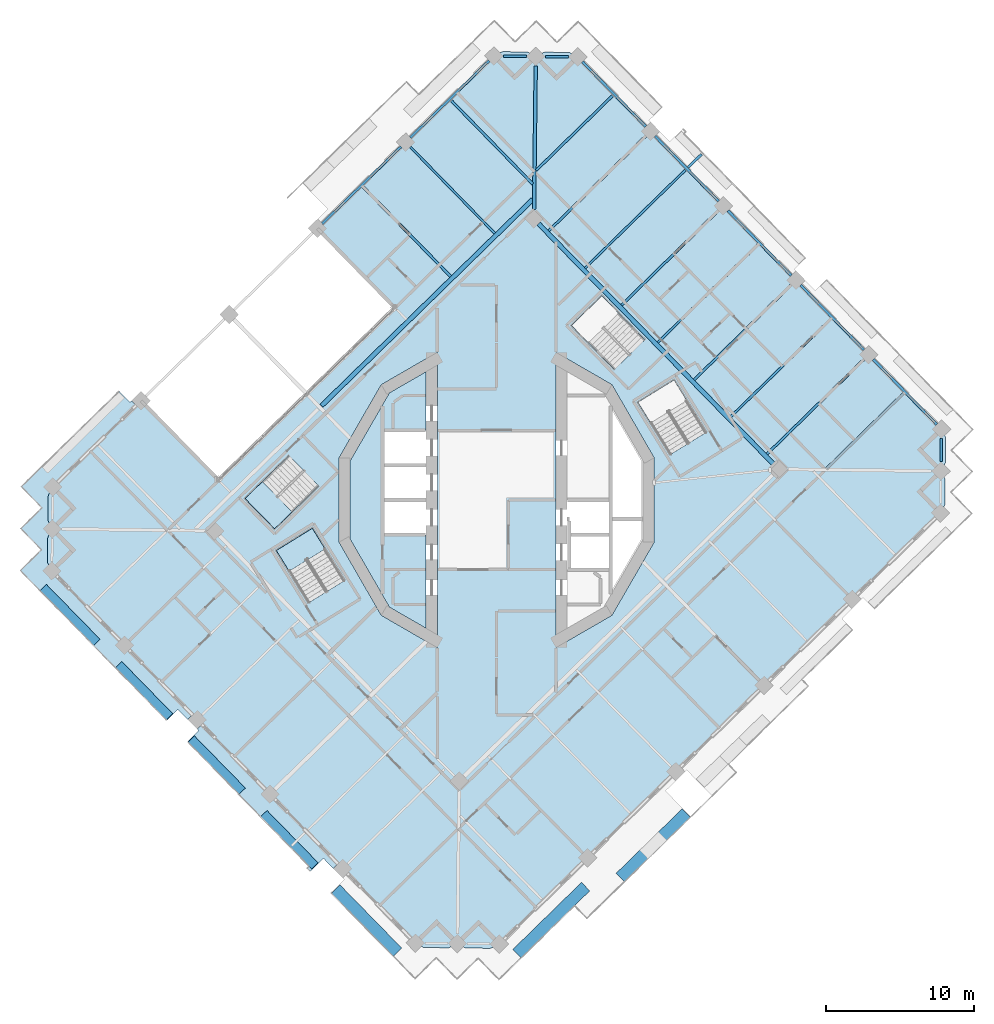
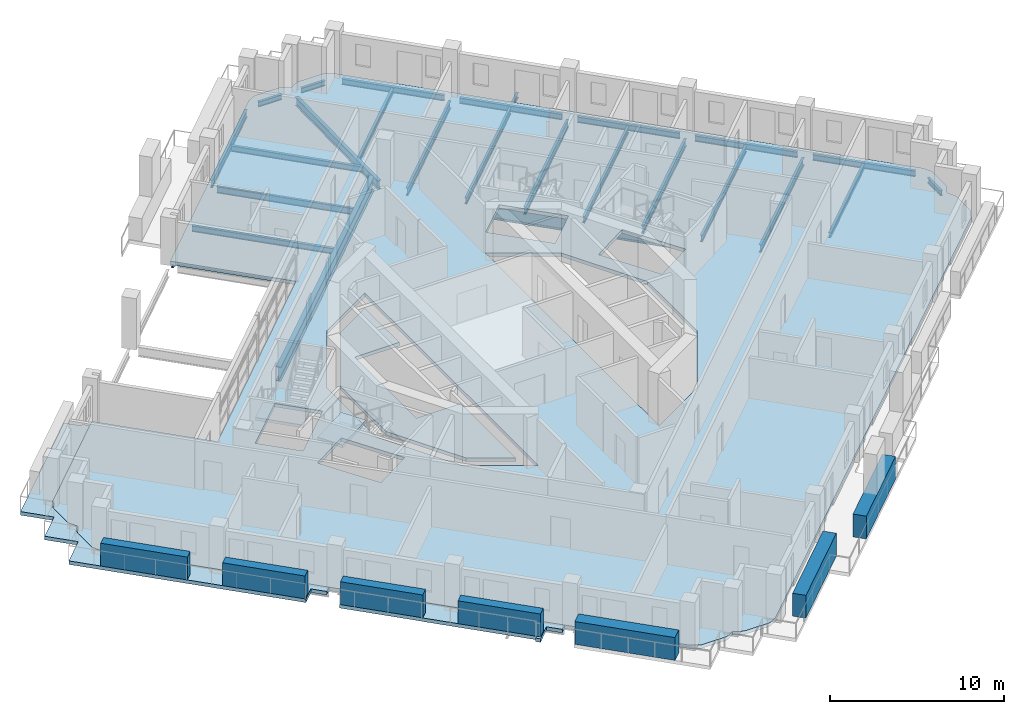
# One storey, part 5 of 21: 26 beams, 7 plates, 6 slabs, 2 elements without a shape of their own.
"""IFC4 building model written with IfcOpenShell, lengths in metres."""

from ifc_helpers import new_model, si_unit, direction, frame, origin, origin_2d, place, context, subcontext, project, spatial, polyline, rectangle, i_section, outline, extrude, material, layer, layer_set, material_profile, profile_set, type_object, element, aggregate, save


model = new_model("IFC4")

# Units and contexts
model_context = context("Model", 3, precision=1e-05, world=origin(), true_north=direction((0.0, 1.0)))
body_context = subcontext(model_context, "Body", "Model", "MODEL_VIEW")
ifc_project = project(units=[si_unit("LENGTHUNIT", "METRE"), si_unit("AREAUNIT", "SQUARE_METRE"), si_unit("VOLUMEUNIT", "CUBIC_METRE"), si_unit("PLANEANGLEUNIT", "RADIAN"), si_unit("MASSUNIT", "GRAM", prefix="KILO")], contexts=[model_context])

# Site, building, storey
site_placement = place(None, origin())
site = spatial("IfcSite", under=ifc_project, at=site_placement, CompositionType="ELEMENT")
building_placement = place(site_placement, origin())
building = spatial("IfcBuilding", under=site, at=building_placement, Name="Cantera Rosa Tower", CompositionType="ELEMENT")
storey_placement = place(building_placement, frame((0.0, 0.0, 230.60009765625)))
storey = spatial("IfcBuildingStorey", under=building, at=storey_placement, Name="L50", CompositionType="ELEMENT", Elevation=230.60009765625)

# Beams
ifc_material_1 = material(Name="Steel ASTM A992 (Fy 345 MPa)", Category="steel")
ifc_material_profile_1 = material_profile(ifc_material_1, i_section(OverallWidth=0.302001953125, OverallDepth=1.010009765625, WebThickness=0.02099609375, FlangeThickness=0.0400390625, FilletRadius=0.030029296875, at=origin_2d()), Name="W1000X350")
ifc_profile_set_1 = profile_set([ifc_material_profile_1], Name="Steel ASTM A992 (Fy 345 MPa)")
beam_type_1 = type_object("IfcBeamType", Name="STEEL BEAM W1000X350", PredefinedType="BEAM", material=ifc_profile_set_1)
beam_1_placement = place(storey_placement, frame((-11.813232421875, 6.353271484375, -0.755126953125), z_axis=(0.715280810147, 0.698837150297, 0.0), x_axis=(-0.698837150297, 0.715280810147, 0.0)))
element("IfcBeam", 1, at=beam_1_placement, inside=storey, type_object=beam_type_1, Name="RB-Z4-02 L50", PredefinedType="BEAM", context=body_context, shape_type="SweptSolid", body=[
    extrude(i_section(OverallWidth=0.302001953125, OverallDepth=1.010009765625, WebThickness=0.02099609375, FlangeThickness=0.0400390625, FilletRadius=0.030029296875, at=origin_2d()), origin(), (0.0, 0.0, 1.0), 19.909912109375),
])
beam_2_placement = place(storey_placement, frame((18.69677734375, 2.39892578125, -0.755126953125), z_axis=(-0.698831294804, 0.715286530981, 0.0), x_axis=(-0.715286530981, -0.698831294804, 0.0)))
element("IfcBeam", 2, at=beam_2_placement, inside=storey, type_object=beam_type_1, Name="RB-Z4-05 L50", PredefinedType="BEAM", context=body_context, shape_type="SweptSolid", body=[
    extrude(i_section(OverallWidth=0.302001953125, OverallDepth=1.010009765625, WebThickness=0.02099609375, FlangeThickness=0.0400390625, FilletRadius=0.030029296875, at=origin_2d()), origin(), (0.0, 0.0, 1.0), 22.7001953125),
])
ifc_material_2 = material(Name="Steel ASTM A992 (Fy 345 MPa)", Category="steel")
ifc_material_profile_2 = material_profile(ifc_material_2, i_section(OverallWidth=0.154052734375, OverallDepth=0.4599609375, WebThickness=0.009033203125, FlangeThickness=0.015380859375, FilletRadius=0.01025390625, at=origin_2d()), Name="W460X68")
ifc_profile_set_2 = profile_set([ifc_material_profile_2], Name="Steel ASTM A992 (Fy 345 MPa)")
beam_type_2 = type_object("IfcBeamType", Name="STEEL BEAM W460X68", PredefinedType="BEAM", material=ifc_profile_set_2)
beam_3_placement = place(storey_placement, frame((-5.818603515625, 23.81396484375, -0.47998046875), z_axis=(0.698836133494, -0.715281803574, 0.0), x_axis=(0.715281803574, 0.698836133494, 0.0)))
element("IfcBeam", 3, at=beam_3_placement, inside=storey, type_object=beam_type_2, Name="G-Z4-05 L50", PredefinedType="BEAM", context=body_context, shape_type="SweptSolid", body=[
    extrude(i_section(OverallWidth=0.154052734375, OverallDepth=0.4599609375, WebThickness=0.009033203125, FlangeThickness=0.015380859375, FilletRadius=0.01025390625, at=origin_2d()), origin(), (0.0, 0.0, 1.0), 8.150146484375),
])
ifc_material_3 = material(Name="Steel ASTM A992 (Fy 345 MPa)", Category="steel")
ifc_material_profile_3 = material_profile(ifc_material_3, i_section(OverallWidth=0.166015625, OverallDepth=0.528076171875, WebThickness=0.009765625, FlangeThickness=0.013671875, FilletRadius=0.0126953125, at=origin_2d()), Name="W530X74")
ifc_profile_set_3 = profile_set([ifc_material_profile_3], Name="Steel ASTM A992 (Fy 345 MPa)")
beam_type_3 = type_object("IfcBeamType", Name="STEEL BEAM W530X74", PredefinedType="BEAM", material=ifc_profile_set_3)
for number, where, z_axis, x_axis, name in (
    (4, (24.77587890625, 9.484619140625, -0.51416015625), (-0.71529025682, -0.698827481213, 0.0), (0.698827481213, -0.71529025682, 0.0), "G-Z4-01 L50"),
    (5, (19.8701171875, 14.505859375, -0.51416015625), (-0.71529025682, -0.698827481213, 0.0), (0.698827481213, -0.71529025682, 0.0), "G-Z4-02 L50"),
    (6, (14.96435546875, 19.527099609375, -0.51416015625), (-0.71529025682, -0.698827481213, 0.0), (0.698827481213, -0.71529025682, 0.0), "G-Z4-03 L50"),
    (7, (10.05859375, 24.548583984375, -0.51416015625), (-0.71529025682, -0.698827481213, 0.0), (0.698827481213, -0.71529025682, 0.0), "G-Z4-04 L50"),
):
    element("IfcBeam", number, at=place(storey_placement, frame(where, z_axis=z_axis, x_axis=x_axis)), inside=storey, type_object=beam_type_3, Name=name, PredefinedType="BEAM", context=body_context, shape_type="SweptSolid", body=[
        extrude(i_section(OverallWidth=0.166015625, OverallDepth=0.528076171875, WebThickness=0.009765625, FlangeThickness=0.013671875, FilletRadius=0.0126953125, at=origin_2d()), origin(), (0.0, 0.0, 1.0), 9.14990234375),
    ])
ifc_material_4 = material(Name="Steel ASTM A992 (Fy 345 MPa)", Category="steel")
ifc_material_profile_4 = material_profile(ifc_material_4, i_section(OverallWidth=0.22802734375, OverallDepth=0.60205078125, WebThickness=0.010498046875, FlangeThickness=0.014892578125, FilletRadius=0.0126953125, at=origin_2d()), Name="W610X101")
ifc_profile_set_4 = profile_set([ifc_material_profile_4], Name="Steel ASTM A992 (Fy 345 MPa)")
beam_type_4 = type_object("IfcBeamType", Name="STEEL BEAM W610X101", PredefinedType="BEAM", material=ifc_profile_set_4)
beam_4_placement = place(storey_placement, frame((2.638916015625, 29.28076171875, -0.551025390625), z_axis=(-0.011618330597, -0.999932504919, 0.0), x_axis=(0.999932504919, -0.011618330597, 0.0)))
element("IfcBeam", 8, at=beam_4_placement, inside=storey, type_object=beam_type_4, Name="CB-Z4-01 L50", PredefinedType="BEAM", context=body_context, shape_type="SweptSolid", body=[
    extrude(i_section(OverallWidth=0.22802734375, OverallDepth=0.60205078125, WebThickness=0.010498046875, FlangeThickness=0.014892578125, FilletRadius=0.0126953125, at=origin_2d()), origin(), (0.0, 0.0, 1.0), 9.687255859375),
])
ifc_material_5 = material(Name="Steel ASTM A992 (Fy 345 MPa)", Category="steel")
ifc_material_profile_5 = material_profile(ifc_material_5, i_section(OverallWidth=0.1708984375, OverallDepth=0.35595703125, WebThickness=0.00732421875, FlangeThickness=0.01171875, FilletRadius=0.010009765625, at=origin_2d()), Name="W360X51")
ifc_profile_set_5 = profile_set([ifc_material_profile_5], Name="Steel ASTM A992 (Fy 345 MPa)")
beam_type_5 = type_object("IfcBeamType", Name="STEEL JOIST W360X51", PredefinedType="JOIST", material=ifc_profile_set_5)
for number, where, z_axis, x_axis, name in (
    (9, (27.443359375, 7.18359375, -0.427978515625), (-0.715287213552, -0.69883059616, 0.0), (0.69883059616, -0.715287213552, 0.0), "B-Z4-01 L50"),
    (10, (7.8203125, 27.268798828125, -0.427978515625), (-0.715287213552, -0.69883059616, 0.0), (0.69883059616, -0.715287213552, 0.0), "B-Z4-05 L50"),
):
    element("IfcBeam", number, at=place(storey_placement, frame(where, z_axis=z_axis, x_axis=x_axis)), inside=storey, type_object=beam_type_5, Name=name, PredefinedType="JOIST", context=body_context, shape_type="SweptSolid", body=[
        extrude(i_section(OverallWidth=0.1708984375, OverallDepth=0.35595703125, WebThickness=0.00732421875, FlangeThickness=0.01171875, FilletRadius=0.010009765625, at=origin_2d()), origin(), (0.0, 0.0, 1.0), 7.2099609375),
    ])
beam_5_placement = place(storey_placement, frame((12.92626953125, 22.443115234375, -0.427978515625), z_axis=(0.715266175044, 0.698852129451, 0.0), x_axis=(-0.698852129451, 0.715266175044, 0.0)))
element("IfcBeam", 11, at=beam_5_placement, inside=storey, type_object=beam_type_5, Name="BS-Z4-15 L50", PredefinedType="JOIST", context=body_context, shape_type="SweptSolid", body=[
    extrude(i_section(OverallWidth=0.1708984375, OverallDepth=0.35595703125, WebThickness=0.00732421875, FlangeThickness=0.01171875, FilletRadius=0.010009765625, at=origin_2d()), origin(), (0.0, 0.0, 1.0), 1.26416015625),
])
ifc_material_6 = material(Name="Steel ASTM A992 (Fy 345 MPa)", Category="steel")
ifc_material_profile_6 = material_profile(ifc_material_6, i_section(OverallWidth=0.177978515625, OverallDepth=0.406005859375, WebThickness=0.0078125, FlangeThickness=0.0126953125, FilletRadius=0.01025390625, at=origin_2d()), Name="W410X60")
ifc_profile_set_6 = profile_set([ifc_material_profile_6], Name="Steel ASTM A992 (Fy 345 MPa)")
beam_type_6 = type_object("IfcBeamType", Name="STEEL JOIST W410X60", PredefinedType="JOIST", material=ifc_profile_set_6)
beam_6_placement = place(storey_placement, frame((-3.052734375, 26.935791015625, -0.453125), z_axis=(0.698827868311, -0.715289878631, 0.0), x_axis=(0.715289878631, 0.698827868311, 0.0)))
element("IfcBeam", 12, at=beam_6_placement, inside=storey, type_object=beam_type_6, Name="B-Z4-06 L50", PredefinedType="JOIST", context=body_context, shape_type="SweptSolid", body=[
    extrude(i_section(OverallWidth=0.177978515625, OverallDepth=0.406005859375, WebThickness=0.0078125, FlangeThickness=0.0126953125, FilletRadius=0.01025390625, at=origin_2d()), origin(), (0.0, 0.0, 1.0), 7.860107421875),
])
beam_7_placement = place(storey_placement, frame((-9.00390625, 21.121337890625, -0.453125), z_axis=(0.698839235604, -0.715278772774, 0.0), x_axis=(0.715278772774, 0.698839235604, 0.0)))
element("IfcBeam", 13, at=beam_7_placement, inside=storey, type_object=beam_type_6, Name="B-Z4-07 L50", PredefinedType="JOIST", context=body_context, shape_type="SweptSolid", body=[
    extrude(i_section(OverallWidth=0.177978515625, OverallDepth=0.406005859375, WebThickness=0.0078125, FlangeThickness=0.0126953125, FilletRadius=0.01025390625, at=origin_2d()), origin(), (0.0, 0.0, 1.0), 8.4501953125),
])
ifc_material_7 = material(Name="Steel ASTM A992 (Fy 345 MPa)", Category="steel")
ifc_material_profile_7 = material_profile(ifc_material_7, i_section(OverallWidth=0.154052734375, OverallDepth=0.4599609375, WebThickness=0.009033203125, FlangeThickness=0.015380859375, FilletRadius=0.01025390625, at=origin_2d()), Name="W460X68")
ifc_profile_set_7 = profile_set([ifc_material_profile_7], Name="Steel ASTM A992 (Fy 345 MPa)")
beam_type_7 = type_object("IfcBeamType", Name="STEEL JOIST W460X68", PredefinedType="JOIST", material=ifc_profile_set_7)
for number, where, z_axis, x_axis, name in (
    (14, (22.53759765625, 12.204833984375, -0.47998046875), (-0.715287278354, -0.698830529832, 0.0), (0.698830529832, -0.715287278354, 0.0), "B-Z4-02 L50"),
    (15, (17.6318359375, 17.226318359375, -0.47998046875), (-0.715287278354, -0.698830529832, 0.0), (0.698830529832, -0.715287278354, 0.0), "B-Z4-03 L50"),
    (16, (12.72607421875, 22.24755859375, -0.47998046875), (-0.715287278354, -0.698830529832, 0.0), (0.698830529832, -0.715287278354, 0.0), "B-Z4-04 L50"),
):
    element("IfcBeam", number, at=place(storey_placement, frame(where, z_axis=z_axis, x_axis=x_axis)), inside=storey, type_object=beam_type_7, Name=name, PredefinedType="JOIST", context=body_context, shape_type="SweptSolid", body=[
        extrude(i_section(OverallWidth=0.154052734375, OverallDepth=0.4599609375, WebThickness=0.009033203125, FlangeThickness=0.015380859375, FilletRadius=0.01025390625, at=origin_2d()), origin(), (0.0, 0.0, 1.0), 9.4501953125),
    ])
ifc_material_8 = material(Name="Steel ASTM A992 (Fy 345 MPa)", Category="steel")
ifc_material_profile_8 = material_profile(ifc_material_8, i_section(OverallWidth=0.1708984375, OverallDepth=0.35595703125, WebThickness=0.00732421875, FlangeThickness=0.01171875, FilletRadius=0.010009765625, at=origin_2d()), Name="W360X51")
ifc_profile_set_8 = profile_set([ifc_material_profile_8], Name="Steel ASTM A992 (Fy 345 MPa)")
beam_type_8 = type_object("IfcBeamType", Name="STEEL SPANDREL BEAM W360X51", PredefinedType="SPANDREL", material=ifc_profile_set_8)
for number, where, z_axis, x_axis, name in (
    (17, (4.838134765625, 29.8916015625, -0.427978515625), (-0.999930716123, 0.011771276677, 0.0), (-0.011771276677, -0.999930716123, 0.0), "EB-Z4-06 L50"),
    (18, (2.010009765625, 29.924560546875, -0.427978515625), (-0.99993255119, 0.011614347636, 0.0), (-0.011614347636, -0.99993255119, 0.0), "EB-Z4-07 L50"),
    (19, (29.97802734375, 2.5859375, -0.427978515625), (0.011614347636, 0.99993255119, 0.0), (-0.99993255119, 0.011614347636, 0.0), "EB-Z4-28 L50"),
):
    element("IfcBeam", number, at=place(storey_placement, frame(where, z_axis=z_axis, x_axis=x_axis)), inside=storey, type_object=beam_type_8, Name=name, PredefinedType="SPANDREL", context=body_context, shape_type="SweptSolid", body=[
        extrude(i_section(OverallWidth=0.1708984375, OverallDepth=0.35595703125, WebThickness=0.00732421875, FlangeThickness=0.01171875, FilletRadius=0.010009765625, at=origin_2d()), origin(), (0.0, 0.0, 1.0), 1.555419921875),
    ])
ifc_material_9 = material(Name="Steel ASTM A992 (Fy 345 MPa)", Category="steel")
ifc_material_profile_9 = material_profile(ifc_material_9, i_section(OverallWidth=0.177978515625, OverallDepth=0.406005859375, WebThickness=0.0078125, FlangeThickness=0.0126953125, FilletRadius=0.01025390625, at=origin_2d()), Name="W410X60")
ifc_profile_set_9 = profile_set([ifc_material_profile_9], Name="Steel ASTM A992 (Fy 345 MPa)")
beam_type_9 = type_object("IfcBeamType", Name="STEEL SPANDREL BEAM W410X60", PredefinedType="SPANDREL", material=ifc_profile_set_9)
beam_8_placement = place(storey_placement, frame((29.689208984375, 5.099609375, -0.453125), z_axis=(-0.69882117953, 0.715296413412, 0.0), x_axis=(-0.715296413412, -0.69882117953, 0.0)))
element("IfcBeam", 20, at=beam_8_placement, inside=storey, type_object=beam_type_9, Name="EB-Z4-01 L50", PredefinedType="SPANDREL", context=body_context, shape_type="SweptSolid", body=[
    extrude(i_section(OverallWidth=0.177978515625, OverallDepth=0.406005859375, WebThickness=0.0078125, FlangeThickness=0.0126953125, FilletRadius=0.01025390625, at=origin_2d()), origin(), (0.0, 0.0, 1.0), 6.1201171875),
])
for number, where, z_axis, x_axis, name in (
    (21, (24.783203125, 10.120849609375, -0.453125), (-0.698800768177, 0.715316354067, 0.0), (-0.715316354067, -0.698800768177, 0.0), "EB-Z4-02 L50"),
    (22, (19.87744140625, 15.142333984375, -0.453125), (-0.698841120217, 0.71527693147, 0.0), (-0.71527693147, -0.698841120217, 0.0), "EB-Z4-03 L50"),
    (23, (14.9716796875, 20.16357421875, -0.453125), (-0.698841120217, 0.71527693147, 0.0), (-0.71527693147, -0.698841120217, 0.0), "EB-Z4-04 L50"),
):
    element("IfcBeam", number, at=place(storey_placement, frame(where, z_axis=z_axis, x_axis=x_axis)), inside=storey, type_object=beam_type_9, Name=name, PredefinedType="SPANDREL", context=body_context, shape_type="SweptSolid", body=[
        extrude(i_section(OverallWidth=0.177978515625, OverallDepth=0.406005859375, WebThickness=0.0078125, FlangeThickness=0.0126953125, FilletRadius=0.01025390625, at=origin_2d()), origin(), (0.0, 0.0, 1.0), 6.119873046875),
    ])
beam_9_placement = place(storey_placement, frame((10.06591796875, 25.184814453125, -0.453125), z_axis=(-0.69882117953, 0.715296413412, 0.0), x_axis=(-0.715296413412, -0.69882117953, 0.0)))
element("IfcBeam", 24, at=beam_9_placement, inside=storey, type_object=beam_type_9, Name="EB-Z4-05 L50", PredefinedType="SPANDREL", context=body_context, shape_type="SweptSolid", body=[
    extrude(i_section(OverallWidth=0.177978515625, OverallDepth=0.406005859375, WebThickness=0.0078125, FlangeThickness=0.0126953125, FilletRadius=0.01025390625, at=origin_2d()), origin(), (0.0, 0.0, 1.0), 6.1201171875),
])
ifc_material_10 = material(Name="Steel ASTM A992 (Fy 345 MPa)", Category="steel")
ifc_material_profile_10 = material_profile(ifc_material_10, i_section(OverallWidth=0.166015625, OverallDepth=0.528076171875, WebThickness=0.009765625, FlangeThickness=0.013671875, FilletRadius=0.0126953125, at=origin_2d()), Name="W530X74")
ifc_profile_set_10 = profile_set([ifc_material_profile_10], Name="Steel ASTM A992 (Fy 345 MPa)")
beam_type_10 = type_object("IfcBeamType", Name="STEEL SPANDREL BEAM W530X74", PredefinedType="SPANDREL", material=ifc_profile_set_10)
beam_10_placement = place(storey_placement, frame((-0.503662109375, 29.6357421875, -0.51416015625), z_axis=(-0.715284379566, -0.698833496871, 0.0), x_axis=(0.698833496871, -0.715284379566, 0.0)))
element("IfcBeam", 25, at=beam_10_placement, inside=storey, type_object=beam_type_10, Name="EB-Z4-08 L50", PredefinedType="SPANDREL", context=body_context, shape_type="SweptSolid", body=[
    extrude(i_section(OverallWidth=0.166015625, OverallDepth=0.528076171875, WebThickness=0.009765625, FlangeThickness=0.013671875, FilletRadius=0.0126953125, at=origin_2d()), origin(), (0.0, 0.0, 1.0), 7.42041015625),
])
beam_11_placement = place(storey_placement, frame((-6.454833984375, 23.8212890625, -0.51416015625), z_axis=(-0.715300826176, -0.698816662703, 0.0), x_axis=(0.698816662703, -0.715300826176, 0.0)))
element("IfcBeam", 26, at=beam_11_placement, inside=storey, type_object=beam_type_10, Name="EB-Z4-09 L50", PredefinedType="SPANDREL", context=body_context, shape_type="SweptSolid", body=[
    extrude(i_section(OverallWidth=0.166015625, OverallDepth=0.528076171875, WebThickness=0.009765625, FlangeThickness=0.013671875, FilletRadius=0.0126953125, at=origin_2d()), origin(), (0.0, 0.0, 1.0), 7.420166015625),
])

# Slabs
ifc_material_11 = material(Name="Concrete C35/45", Category="concrete")
ifc_layer_1 = layer(ifc_material_11, 0.25)
ifc_layer_set_1 = layer_set([ifc_layer_1], Name="COMPOSITE FLOOR SLAB 250 C35/45")
slab_type_1 = type_object("IfcSlabType", Name="COMPOSITE FLOOR SLAB 250 C35/45", PredefinedType="FLOOR", material=ifc_layer_set_1)
slab_1_placement = place(storey_placement, frame((0.0, 0.0, -0.25)))
element("IfcSlab", 27, at=slab_1_placement, inside=storey, type_object=slab_type_1, Name="SLAB L50 floor 1", PredefinedType="FLOOR", context=body_context, shape_type="SweptSolid", body=[
    extrude(outline(polyline([(-7.699951171875, 0.0), (-7.699951171875, -2.35009765625), (-4.75, -2.35009765625), (-4.75, -8.660400390625), (-7.22900390625, -7.22900390625), (-9.875244140625, -2.64599609375), (-9.875244140625, 2.64599609375), (-7.22900390625, 7.22900390625), (-4.75, 8.660400390625), (-4.75, 4.699951171875), (-7.699951171875, 4.699951171875), (-7.699951171875, 2.35009765625), (-7.699951171875, 0.0)])), origin(), (0.0, 0.0, 1.0), 0.25),
])
slab_2_placement = place(storey_placement, frame((0.0, 0.0, -0.25)))
element("IfcSlab", 28, at=slab_2_placement, inside=storey, type_object=slab_type_1, Name="SLAB L50 floor 2", PredefinedType="FLOOR", context=body_context, shape_type="SweptSolid", body=[
    extrude(outline(polyline([(-2.1279296875, -30.200439453125), (-2.154541015625, -30.1875), (-2.646484375, -29.917236328125), (-3.144287109375, -30.176025390625), (-3.171142578125, -30.188232421875), (-3.198974609375, -30.197998046875), (-3.2275390625, -30.20458984375), (-3.2568359375, -30.208740234375), (-3.2861328125, -30.209716796875), (-4.841796875, -30.191650390625), (-4.87109375, -30.18994140625), (-4.900146484375, -30.185302734375), (-4.9287109375, -30.177734375), (-4.956298828125, -30.16748046875), (-4.982666015625, -30.154541015625), (-5.474609375, -29.88427734375), (-30.003662109375, -4.777587890625), (-30.262451171875, -4.27978515625), (-30.274658203125, -4.2529296875), (-30.2841796875, -4.22509765625), (-30.291015625, -4.196533203125), (-30.295166015625, -4.167236328125), (-30.296142578125, -4.137939453125), (-30.278076171875, -2.58251953125), (-30.2763671875, -2.552978515625), (-30.271484375, -2.52392578125), (-30.26416015625, -2.495361328125), (-30.25390625, -2.4677734375), (-30.240966796875, -2.44140625), (-29.970703125, -1.949462890625), (-30.2294921875, -1.451416015625), (-30.24169921875, -1.4248046875), (-30.25146484375, -1.39697265625), (-30.25830078125, -1.368408203125), (-30.26220703125, -1.339111328125), (-30.26318359375, -1.309814453125), (-30.2451171875, 0.245849609375), (-30.243408203125, 0.275146484375), (-30.23876953125, 0.30419921875), (-30.231201171875, 0.332763671875), (-30.220947265625, 0.3603515625), (-30.2080078125, 0.386962890625), (-29.937744140625, 0.878662109375), (-23.986572265625, 6.693115234375), (-18.745361328125, 1.328369140625), (-6.843017578125, 12.956787109375), (-12.084228515625, 18.321533203125), (-0.883056640625, 29.26513671875), (-0.181884765625, 29.9501953125), (0.316162109375, 30.208984375), (0.343017578125, 30.22119140625), (0.37060546875, 30.230712890625), (0.3994140625, 30.237548828125), (0.4287109375, 30.24169921875), (0.4580078125, 30.24267578125), (2.013427734375, 30.224609375), (2.04296875, 30.222900390625), (2.072021484375, 30.218017578125), (2.100341796875, 30.210693359375), (2.1279296875, 30.200439453125), (2.154541015625, 30.1875), (2.646484375, 29.917236328125), (3.144287109375, 30.176025390625), (3.171142578125, 30.188232421875), (3.198974609375, 30.197998046875), (3.2275390625, 30.20458984375), (3.2568359375, 30.208740234375), (3.2861328125, 30.209716796875), (4.841796875, 30.191650390625), (4.87109375, 30.18994140625), (4.900146484375, 30.185302734375), (4.9287109375, 30.177734375), (4.956298828125, 30.16748046875), (4.982666015625, 30.154541015625), (5.474609375, 29.88427734375), (30.003662109375, 4.777587890625), (30.262451171875, 4.27978515625), (30.274658203125, 4.2529296875), (30.2841796875, 4.22509765625), (30.291015625, 4.196533203125), (30.295166015625, 4.167236328125), (30.296142578125, 4.137939453125), (30.278076171875, 2.58251953125), (30.2763671875, 2.552978515625), (30.271484375, 2.52392578125), (30.26416015625, 2.495361328125), (30.25390625, 2.4677734375), (30.240966796875, 2.44140625), (29.970703125, 1.949462890625), (30.2294921875, 1.451416015625), (30.24169921875, 1.4248046875), (30.25146484375, 1.39697265625), (30.25830078125, 1.368408203125), (30.26220703125, 1.339111328125), (30.26318359375, 1.309814453125), (30.2451171875, -0.245849609375), (30.243408203125, -0.275146484375), (30.23876953125, -0.30419921875), (30.231201171875, -0.332763671875), (30.220947265625, -0.3603515625), (30.2080078125, -0.386962890625), (29.937744140625, -0.878662109375), (0.883056640625, -29.26513671875), (0.181884765625, -29.9501953125), (-0.316162109375, -30.208984375), (-0.343017578125, -30.22119140625), (-0.37060546875, -30.230712890625), (-0.3994140625, -30.237548828125), (-0.4287109375, -30.24169921875), (-0.4580078125, -30.24267578125), (-2.013427734375, -30.224609375), (-2.04296875, -30.222900390625), (-2.072021484375, -30.218017578125), (-2.100341796875, -30.210693359375), (-2.1279296875, -30.200439453125)]), holes=[polyline([(-12.430908203125, -1.911376953125), (-14.8564453125, -3.407470703125), (-12.68408203125, -6.929443359375), (-10.258544921875, -5.433349609375), (-12.430908203125, -1.911376953125)]), polyline([(-7.7783203125, 7.7783203125), (-10.625244140625, 2.846923828125), (-10.625244140625, -2.846923828125), (-7.7783203125, -7.7783203125), (-4.0, -9.95947265625), (-4.0, 9.95947265625), (-7.7783203125, 7.7783203125)]), polyline([(-14.0029296875, 2.9892578125), (-16.962890625, 0.097412109375), (-14.97119140625, -1.941162109375), (-12.01123046875, 0.95068359375), (-14.0029296875, 2.9892578125)]), polyline([(7.7783203125, -7.7783203125), (10.625244140625, -2.846923828125), (10.625244140625, 2.846923828125), (7.7783203125, 7.7783203125), (4.0, 9.95947265625), (4.0, -9.95947265625), (7.7783203125, -7.7783203125)]), polyline([(14.1416015625, 4.566650390625), (11.96923828125, 8.088623046875), (9.54345703125, 6.592529296875), (11.7158203125, 3.070556640625), (14.1416015625, 4.566650390625)]), polyline([(9.9892578125, 10.802978515625), (7.097412109375, 13.762939453125), (5.058837890625, 11.771240234375), (7.95068359375, 8.811279296875), (9.9892578125, 10.802978515625)])]), origin(), (0.0, 0.0, 1.0), 0.25),
])
ifc_material_12 = material(Name="Concrete C35/45", Category="concrete")
ifc_layer_2 = layer(ifc_material_12, 0.25)
ifc_layer_set_2 = layer_set([ifc_layer_2], Name="LOGGIA SLAB 250 C35/45")
slab_type_2 = type_object("IfcSlabType", Name="LOGGIA SLAB 250 C35/45", PredefinedType="FLOOR", material=ifc_layer_set_2)
slab_3_placement = place(storey_placement, frame((0.0, 0.0, -0.25)))
element("IfcSlab", 29, at=slab_3_placement, inside=storey, type_object=slab_type_2, Name="LOGGIA SLAB L50 1", PredefinedType="FLOOR", context=body_context, shape_type="SweptSolid", body=[
    extrude(outline(polyline([(-27.218994140625, -9.7744140625), (-31.076416015625, -5.825927734375), (-32.124755859375, -4.753173828125), (-31.0517578125, -3.704833984375), (-30.694091796875, -3.35546875), (-31.043701171875, -2.997802734375), (-32.091796875, -1.9248046875), (-31.018798828125, -0.876708984375), (-30.661376953125, -0.527099609375), (-31.0107421875, -0.16943359375), (-32.05908203125, 0.9033203125), (-30.986083984375, 1.95166015625), (-26.110107421875, 6.71533203125), (-26.11279296875, 6.7177734375), (-25.46630859375, 7.34912109375), (-24.730224609375, 6.595703125), (-24.622802734375, 6.700439453125), (-24.30859375, 6.37841796875), (-29.937744140625, 0.878662109375), (-30.2080078125, 0.386962890625), (-30.220947265625, 0.3603515625), (-30.231201171875, 0.332763671875), (-30.23876953125, 0.30419921875), (-30.243408203125, 0.275146484375), (-30.2451171875, 0.245849609375), (-30.26318359375, -1.309814453125), (-30.26220703125, -1.339111328125), (-30.25830078125, -1.368408203125), (-30.25146484375, -1.39697265625), (-30.24169921875, -1.4248046875), (-30.2294921875, -1.451416015625), (-29.970703125, -1.949462890625), (-30.240966796875, -2.44140625), (-30.25390625, -2.4677734375), (-30.26416015625, -2.495361328125), (-30.271484375, -2.52392578125), (-30.2763671875, -2.552978515625), (-30.278076171875, -2.58251953125), (-30.296142578125, -4.137939453125), (-30.295166015625, -4.167236328125), (-30.291015625, -4.196533203125), (-30.2841796875, -4.22509765625), (-30.274658203125, -4.2529296875), (-30.262451171875, -4.27978515625), (-30.003662109375, -4.777587890625), (-20.506591796875, -14.49853515625), (-20.828369140625, -14.81298828125), (-21.4921875, -14.13330078125), (-22.243408203125, -14.8671875), (-22.313232421875, -14.795654296875), (-25.12255859375, -11.920166015625), (-27.218994140625, -9.7744140625)])), origin(), (0.0, 0.0, 1.0), 0.25),
])
slab_4_placement = place(storey_placement, frame((0.0, 0.0, -0.25)))
element("IfcSlab", 30, at=slab_4_placement, inside=storey, type_object=slab_type_2, Name="LOGGIA SLAB L50 2", PredefinedType="FLOOR", context=body_context, shape_type="SweptSolid", body=[
    extrude(outline(polyline([(-17.42724609375, -19.81689453125), (-17.417236328125, -19.806884765625), (-20.216796875, -16.94140625), (-20.845703125, -16.2978515625), (-20.094482421875, -15.56396484375), (-20.199462890625, -15.456787109375), (-19.87744140625, -15.14208984375), (-10.69482421875, -24.541015625), (-11.016845703125, -24.855712890625), (-11.6806640625, -24.176025390625), (-12.57470703125, -25.049560546875), (-12.784423828125, -24.8349609375), (-12.6513671875, -24.705078125), (-17.42724609375, -19.81689453125)])), origin(), (0.0, 0.0, 1.0), 0.25),
])

# Plates
ifc_material_13 = material(Name="Cantera stone planter with soil", Category="masonry")
plate_type_1 = type_object("IfcPlateType", Name="PLANTER 600", PredefinedType="USERDEFINED", material=ifc_material_13)
plate_1_placement = place(storey_placement, frame((-28.77587890625, -7.75146484375, -0.000244140625), z_axis=(0.0, 0.0, 1.0), x_axis=(0.698831540364, -0.71528629107, 0.0)))
element("IfcPlate", 31, at=plate_1_placement, inside=storey, type_object=plate_type_1, Name="PLANTER L50-11", ObjectType="PLANTER", PredefinedType="USERDEFINED", context=body_context, shape_type="SweptSolid", body=[
    extrude(rectangle(XDim=5.169921875, YDim=0.60009765625, at=origin_2d()), origin(), (0.0, 0.0, 1.0), 1.60009765625),
])
for number, where, z_axis, x_axis, name in (
    (32, (-23.78271484375, -12.8623046875, -0.000244140625), (0.0, 0.0, 1.0), (0.698831540364, -0.71528629107, 0.0), "PLANTER L50-12"),
    (33, (-18.876953125, -17.883544921875, -0.000244140625), (0.0, 0.0, 1.0), (0.698831540364, -0.71528629107, 0.0), "PLANTER L50-13"),
    (34, (-13.981201171875, -22.91455078125, -0.000244140625), (0.0, 0.0, 1.0), (0.698831540364, -0.71528629107, 0.0), "PLANTER L50-14"),
):
    element("IfcPlate", number, at=place(storey_placement, frame(where, z_axis=z_axis, x_axis=x_axis)), inside=storey, type_object=plate_type_1, Name=name, ObjectType="PLANTER", PredefinedType="USERDEFINED", context=body_context, shape_type="SweptSolid", body=[
        extrude(rectangle(XDim=4.919921875, YDim=0.60009765625, at=origin_2d()), origin(), (0.0, 0.0, 1.0), 1.60009765625),
    ])
ifc_material_14 = material(Name="Cantera stone planter with soil", Category="masonry")
plate_type_2 = type_object("IfcPlateType", Name="PLANTER 800", PredefinedType="USERDEFINED", material=ifc_material_14)
plate_2_placement = place(storey_placement, frame((-8.77001953125, -28.37158203125, -0.000244140625), z_axis=(0.0, 0.0, 1.0), x_axis=(0.698831540364, -0.71528629107, 0.0)))
element("IfcPlate", 35, at=plate_2_placement, inside=storey, type_object=plate_type_2, Name="PLANTER L50-15", ObjectType="PLANTER", PredefinedType="USERDEFINED", context=body_context, shape_type="SweptSolid", body=[
    extrude(rectangle(XDim=5.969970703125, YDim=0.800048828125, at=origin_2d()), origin(), (0.0, 0.0, 1.0), 1.60009765625),
])
plate_3_placement = place(storey_placement, frame((3.6904296875, -28.33984375, -0.000244140625), z_axis=(0.0, 0.0, 1.0), x_axis=(0.71528629107, 0.698831540364, 0.0)))
element("IfcPlate", 36, at=plate_3_placement, inside=storey, type_object=plate_type_2, Name="PLANTER L50-16", ObjectType="PLANTER", PredefinedType="USERDEFINED", context=body_context, shape_type="SweptSolid", body=[
    extrude(rectangle(XDim=6.469970703125, YDim=0.800048828125, at=origin_2d()), origin(), (0.0, 0.0, 1.0), 1.60009765625),
])
plate_4_placement = place(storey_placement, frame((10.56640625, -23.29296875, -0.000244140625), z_axis=(0.0, 0.0, 1.0), x_axis=(0.71528629107, 0.698831540364, 0.0)))
element("IfcPlate", 37, at=plate_4_placement, inside=storey, type_object=plate_type_2, Name="PLANTER L50-17", ObjectType="PLANTER", PredefinedType="USERDEFINED", context=body_context, shape_type="SweptSolid", body=[
    extrude(rectangle(XDim=6.219970703125, YDim=0.800048828125, at=origin_2d()), origin(), (0.0, 0.0, 1.0), 1.60009765625),
])

# Stair, slab
ifc_material_15 = material(Name="Concrete C35/45", Category="concrete")
stair_type = type_object("IfcStairType", Name="EXIT STAIR 1350 DOGLEG", PredefinedType="HALF_TURN_STAIR", material=ifc_material_15)
stair_1_placement = place(storey_placement, origin())
stair_1 = element("IfcStair", 38, at=stair_1_placement, inside=storey, type_object=stair_type, Name="L50 ST-43", PredefinedType="HALF_TURN_STAIR")
ifc_material_16 = material(Name="Concrete C35/45", Category="concrete")
ifc_layer_3 = layer(ifc_material_16, 0.199951171875)
ifc_layer_set_3 = layer_set([ifc_layer_3], Name="STAIR LANDING 200")
slab_type_3 = type_object("IfcSlabType", Name="STAIR LANDING 200", PredefinedType="LANDING", material=ifc_layer_set_3)
slab_5_placement = place(storey_placement, frame((0.0, 0.0, 1.599853515625)))
slab_5 = element("IfcSlab", 39, at=slab_5_placement, type_object=slab_type_3, Name="ST-43 landing 1", PredefinedType="LANDING", context=body_context, shape_type="SweptSolid", body=[
    extrude(outline(polyline([(-15.788330078125, 1.244873046875), (-16.962890625, 0.097412109375), (-14.97119140625, -1.941162109375), (-13.796630859375, -0.793701171875), (-15.788330078125, 1.244873046875)])), origin(), (0.0, 0.0, 1.0), 0.199951171875),
])
aggregate(stair_1, [slab_5])

stair_2_placement = place(storey_placement, origin())
stair_2 = element("IfcStair", 40, at=stair_2_placement, inside=storey, type_object=stair_type, Name="L50 ST-44", PredefinedType="HALF_TURN_STAIR")
slab_6_placement = place(storey_placement, frame((0.0, 0.0, 1.599853515625)))
slab_6 = element("IfcSlab", 41, at=slab_6_placement, type_object=slab_type_3, Name="ST-44 landing 1", PredefinedType="LANDING", context=body_context, shape_type="SweptSolid", body=[
    extrude(outline(polyline([(-11.56884765625, -3.308837890625), (-12.430908203125, -1.911376953125), (-14.8564453125, -3.407470703125), (-13.99462890625, -4.80517578125), (-11.56884765625, -3.308837890625)])), origin(), (0.0, 0.0, 1.0), 0.199951171875),
])
aggregate(stair_2, [slab_6])

save(model, "model.ifc")
